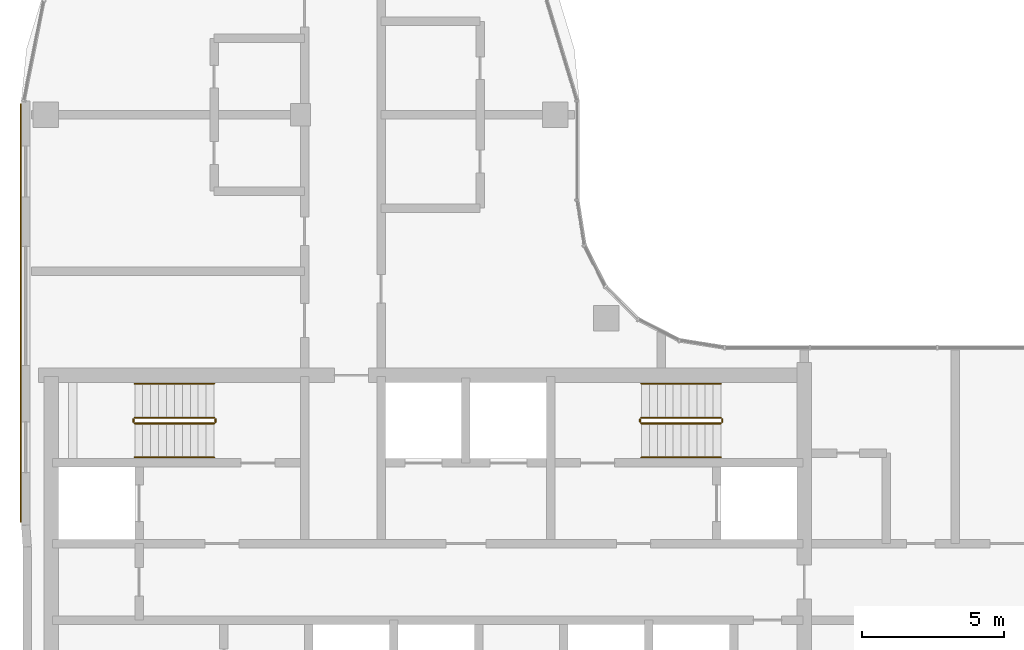
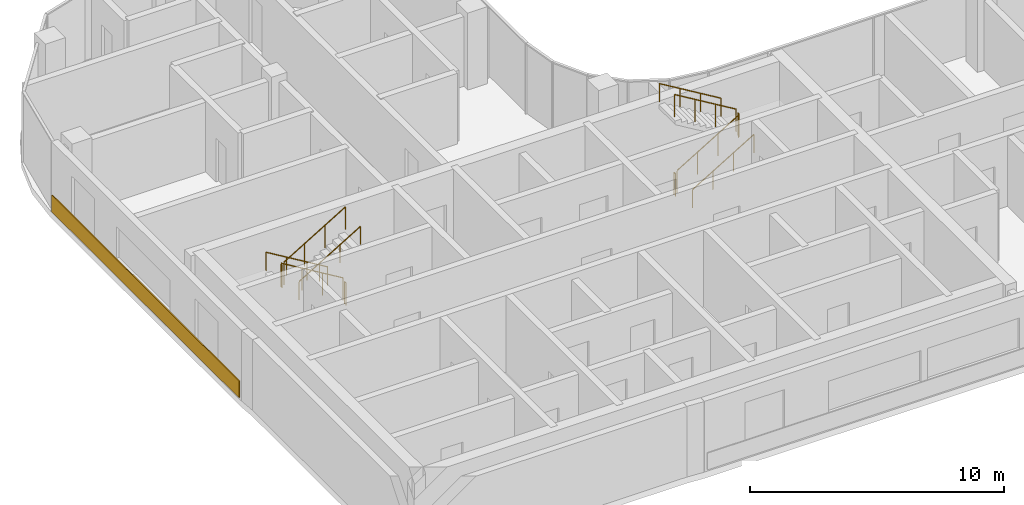
# One storey, part 18 of 20: 12 railings, 1 covering.
"""IFC4 building model written with IfcOpenShell, lengths in metres."""

from ifc_helpers import new_model, si_unit, direction, frame, origin, origin_2d, place, context, subcontext, project, spatial, rectangle, circle, extrude, material, layer, layer_set, type_object, element, save


model = new_model("IFC4")

# Units and contexts
model_context = context("Model", 3, precision=1e-05, world=origin(), true_north=direction((0.0, 1.0)))
body_context = subcontext(model_context, "Body", "Model", "MODEL_VIEW")
ifc_project = project(units=[si_unit("LENGTHUNIT", "METRE"), si_unit("AREAUNIT", "SQUARE_METRE"), si_unit("VOLUMEUNIT", "CUBIC_METRE"), si_unit("PLANEANGLEUNIT", "RADIAN"), si_unit("MASSUNIT", "GRAM", prefix="KILO")], contexts=[model_context])

# Site, building, storey
site_placement = place(None, origin())
site = spatial("IfcSite", under=ifc_project, at=site_placement, CompositionType="ELEMENT")
building_placement = place(site_placement, origin())
building = spatial("IfcBuilding", under=site, at=building_placement, Name="Ogive Portal Towers", CompositionType="ELEMENT")
storey_placement = place(building_placement, frame((0.0, 0.0, 210.60009765625)))
storey = spatial("IfcBuildingStorey", under=building, at=storey_placement, Name="L52", CompositionType="ELEMENT", Elevation=210.60009765625)

# Railings
ifc_material_1 = material(Name="Stainless steel balustrade", Category="steel")
railing_type_1 = type_object("IfcRailingType", Name="INT-GUARD", PredefinedType="GUARDRAIL", material=ifc_material_1)
railing_1_placement = place(storey_placement, frame((37.449951171875, 37.800048828125, 0.16796875)))
element("IfcRailing", 1, at=railing_1_placement, inside=storey, type_object=railing_type_1, Name="L52 ST-A1 stair guard 1", PredefinedType="GUARDRAIL", context=body_context, shape_type="SweptSolid", body=[
    extrude(circle(Radius=0.02392578125, at=origin_2d()), frame((0.0, 0.0, 1.076171875), z_axis=(-0.857242210791, 0.0, 0.514913383045), x_axis=(0.0, -1.0, 0.0)), (0.0, 0.0, 1.0), 3.266357421875),
    extrude(circle(Radius=0.02099609375, at=origin_2d()), origin(), (0.0, 0.0, 1.0), 1.052001953125),
    extrude(circle(Radius=0.02099609375, at=origin_2d()), frame((-0.933349609375, 0.0, 0.560546875)), (0.0, 0.0, 1.0), 1.052001953125),
    extrude(circle(Radius=0.02099609375, at=origin_2d()), frame((-1.86669921875, 0.0, 1.121337890625)), (0.0, 0.0, 1.0), 1.052001953125),
    extrude(circle(Radius=0.02099609375, at=origin_2d()), frame((-2.800048828125, 0.0, 1.681884765625)), (0.0, 0.0, 1.0), 1.052001953125),
])
railing_2_placement = place(storey_placement, frame((34.60009765625, 37.75, 1.849853515625)))
element("IfcRailing", 2, at=railing_2_placement, inside=storey, type_object=railing_type_1, Name="L52 ST-A1 stair guard 2", PredefinedType="GUARDRAIL", context=body_context, shape_type="SweptSolid", body=[
    extrude(circle(Radius=0.02392578125, at=origin_2d()), frame((0.0, 0.0, 1.076171875), z_axis=(0.0, -1.0, 0.0), x_axis=(1.0, 0.0, 0.0)), (0.0, 0.0, 1.0), 0.10009765625),
    extrude(circle(Radius=0.02099609375, at=origin_2d()), origin(), (0.0, 0.0, 1.0), 1.052001953125),
    extrude(circle(Radius=0.02099609375, at=origin_2d()), frame((0.0, -0.10009765625, 0.0)), (0.0, 0.0, 1.0), 1.052001953125),
])
railing_3_placement = place(storey_placement, frame((34.64990234375, 37.60009765625, 2.01806640625)))
element("IfcRailing", 3, at=railing_3_placement, inside=storey, type_object=railing_type_1, Name="L52 ST-A1 stair guard 3", PredefinedType="GUARDRAIL", context=body_context, shape_type="SweptSolid", body=[
    extrude(circle(Radius=0.02392578125, at=origin_2d()), frame((0.0, 0.0, 1.076171875), z_axis=(0.857242210791, 0.0, 0.514913383045), x_axis=(0.0, 1.0, 0.0)), (0.0, 0.0, 1.0), 3.266357421875),
    extrude(circle(Radius=0.02099609375, at=origin_2d()), origin(), (0.0, 0.0, 1.0), 1.052001953125),
    extrude(circle(Radius=0.02099609375, at=origin_2d()), frame((0.933349609375, 0.0, 0.560546875)), (0.0, 0.0, 1.0), 1.052001953125),
    extrude(circle(Radius=0.02099609375, at=origin_2d()), frame((1.86669921875, 0.0, 1.121337890625)), (0.0, 0.0, 1.0), 1.052001953125),
    extrude(circle(Radius=0.02099609375, at=origin_2d()), frame((2.800048828125, 0.0, 1.681884765625)), (0.0, 0.0, 1.0), 1.052001953125),
])
railing_4_placement = place(storey_placement, frame((37.5, 37.75, 0.0)))
element("IfcRailing", 4, at=railing_4_placement, inside=storey, type_object=railing_type_1, Name="L52 ST-A1 stair guard 4", PredefinedType="GUARDRAIL", context=body_context, shape_type="SweptSolid", body=[
    extrude(circle(Radius=0.02392578125, at=origin_2d()), frame((0.0, 0.0, 1.076171875), z_axis=(0.0, -1.0, 0.0), x_axis=(1.0, 0.0, 0.0)), (0.0, 0.0, 1.0), 0.10009765625),
    extrude(circle(Radius=0.02099609375, at=origin_2d()), origin(), (0.0, 0.0, 1.0), 1.052001953125),
    extrude(circle(Radius=0.02099609375, at=origin_2d()), frame((0.0, -0.10009765625, 0.0)), (0.0, 0.0, 1.0), 1.052001953125),
])
railing_5_placement = place(storey_placement, frame((52.550048828125, 37.60009765625, 0.16796875)))
element("IfcRailing", 5, at=railing_5_placement, inside=storey, type_object=railing_type_1, Name="L52 ST-A2 stair guard 1", PredefinedType="GUARDRAIL", context=body_context, shape_type="SweptSolid", body=[
    extrude(circle(Radius=0.02392578125, at=origin_2d()), frame((0.0, 0.0, 1.076171875), z_axis=(0.857242210791, 0.0, 0.514913383045), x_axis=(0.0, 1.0, 0.0)), (0.0, 0.0, 1.0), 3.266357421875),
    extrude(circle(Radius=0.02099609375, at=origin_2d()), origin(), (0.0, 0.0, 1.0), 1.052001953125),
    extrude(circle(Radius=0.02099609375, at=origin_2d()), frame((0.933349609375, 0.0, 0.560546875)), (0.0, 0.0, 1.0), 1.052001953125),
    extrude(circle(Radius=0.02099609375, at=origin_2d()), frame((1.86669921875, 0.0, 1.121337890625)), (0.0, 0.0, 1.0), 1.052001953125),
    extrude(circle(Radius=0.02099609375, at=origin_2d()), frame((2.800048828125, 0.0, 1.681884765625)), (0.0, 0.0, 1.0), 1.052001953125),
])
railing_6_placement = place(storey_placement, frame((55.39990234375, 37.64990234375, 1.849853515625)))
element("IfcRailing", 6, at=railing_6_placement, inside=storey, type_object=railing_type_1, Name="L52 ST-A2 stair guard 2", PredefinedType="GUARDRAIL", context=body_context, shape_type="SweptSolid", body=[
    extrude(circle(Radius=0.02392578125, at=origin_2d()), frame((0.0, 0.0, 1.076171875), z_axis=(0.0, 1.0, 0.0), x_axis=(-1.0, 0.0, 0.0)), (0.0, 0.0, 1.0), 0.10009765625),
    extrude(circle(Radius=0.02099609375, at=origin_2d()), origin(), (0.0, 0.0, 1.0), 1.052001953125),
    extrude(circle(Radius=0.02099609375, at=origin_2d()), frame((0.0, 0.10009765625, 0.0)), (0.0, 0.0, 1.0), 1.052001953125),
])
railing_7_placement = place(storey_placement, frame((55.35009765625, 37.800048828125, 2.01806640625)))
element("IfcRailing", 7, at=railing_7_placement, inside=storey, type_object=railing_type_1, Name="L52 ST-A2 stair guard 3", PredefinedType="GUARDRAIL", context=body_context, shape_type="SweptSolid", body=[
    extrude(circle(Radius=0.02392578125, at=origin_2d()), frame((0.0, 0.0, 1.076171875), z_axis=(-0.857242210791, 0.0, 0.514913383045), x_axis=(0.0, -1.0, 0.0)), (0.0, 0.0, 1.0), 3.266357421875),
    extrude(circle(Radius=0.02099609375, at=origin_2d()), origin(), (0.0, 0.0, 1.0), 1.052001953125),
    extrude(circle(Radius=0.02099609375, at=origin_2d()), frame((-0.933349609375, 0.0, 0.560546875)), (0.0, 0.0, 1.0), 1.052001953125),
    extrude(circle(Radius=0.02099609375, at=origin_2d()), frame((-1.86669921875, 0.0, 1.121337890625)), (0.0, 0.0, 1.0), 1.052001953125),
    extrude(circle(Radius=0.02099609375, at=origin_2d()), frame((-2.800048828125, 0.0, 1.681884765625)), (0.0, 0.0, 1.0), 1.052001953125),
])
railing_8_placement = place(storey_placement, frame((52.5, 37.64990234375, 0.0)))
element("IfcRailing", 8, at=railing_8_placement, inside=storey, type_object=railing_type_1, Name="L52 ST-A2 stair guard 4", PredefinedType="GUARDRAIL", context=body_context, shape_type="SweptSolid", body=[
    extrude(circle(Radius=0.02392578125, at=origin_2d()), frame((0.0, 0.0, 1.076171875), z_axis=(0.0, 1.0, 0.0), x_axis=(-1.0, 0.0, 0.0)), (0.0, 0.0, 1.0), 0.10009765625),
    extrude(circle(Radius=0.02099609375, at=origin_2d()), origin(), (0.0, 0.0, 1.0), 1.052001953125),
    extrude(circle(Radius=0.02099609375, at=origin_2d()), frame((0.0, 0.10009765625, 0.0)), (0.0, 0.0, 1.0), 1.052001953125),
])
ifc_material_2 = material(Name="Stainless steel handrail", Category="steel")
railing_type_2 = type_object("IfcRailingType", Name="INT-HANDRAIL", PredefinedType="HANDRAIL", material=ifc_material_2)
railing_9_placement = place(storey_placement, frame((37.449951171875, 39.0, 0.16796875)))
element("IfcRailing", 9, at=railing_9_placement, inside=storey, type_object=railing_type_2, Name="L52 ST-A1 stair handrail 1", PredefinedType="HANDRAIL", context=body_context, shape_type="SweptSolid", body=[
    extrude(circle(Radius=0.02392578125, at=origin_2d()), frame((0.0, 0.0, 0.8759765625), z_axis=(-0.857242210791, 0.0, 0.514913383045), x_axis=(0.0, -1.0, 0.0)), (0.0, 0.0, 1.0), 3.266357421875),
    extrude(circle(Radius=0.02099609375, at=origin_2d()), origin(), (0.0, 0.0, 1.0), 0.851806640625),
    extrude(circle(Radius=0.02099609375, at=origin_2d()), frame((-0.933349609375, 0.0, 0.560546875)), (0.0, 0.0, 1.0), 0.851806640625),
    extrude(circle(Radius=0.02099609375, at=origin_2d()), frame((-1.86669921875, 0.0, 1.121337890625)), (0.0, 0.0, 1.0), 0.851806640625),
    extrude(circle(Radius=0.02099609375, at=origin_2d()), frame((-2.800048828125, 0.0, 1.681884765625)), (0.0, 0.0, 1.0), 0.851806640625),
])
for number, where, name in (
    (10, (34.64990234375, 36.39990234375, 2.01806640625), "L52 ST-A1 stair handrail 2"),
    (11, (52.550048828125, 36.39990234375, 0.16796875), "L52 ST-A2 stair handrail 1"),
):
    element("IfcRailing", number, at=place(storey_placement, frame(where)), inside=storey, type_object=railing_type_2, Name=name, PredefinedType="HANDRAIL", context=body_context, shape_type="SweptSolid", body=[
        extrude(circle(Radius=0.02392578125, at=origin_2d()), frame((0.0, 0.0, 0.8759765625), z_axis=(0.857242210791, 0.0, 0.514913383045), x_axis=(0.0, 1.0, 0.0)), (0.0, 0.0, 1.0), 3.266357421875),
        extrude(circle(Radius=0.02099609375, at=origin_2d()), origin(), (0.0, 0.0, 1.0), 0.851806640625),
        extrude(circle(Radius=0.02099609375, at=origin_2d()), frame((0.933349609375, 0.0, 0.560546875)), (0.0, 0.0, 1.0), 0.851806640625),
        extrude(circle(Radius=0.02099609375, at=origin_2d()), frame((1.86669921875, 0.0, 1.121337890625)), (0.0, 0.0, 1.0), 0.851806640625),
        extrude(circle(Radius=0.02099609375, at=origin_2d()), frame((2.800048828125, 0.0, 1.681884765625)), (0.0, 0.0, 1.0), 0.851806640625),
    ])
railing_10_placement = place(storey_placement, frame((55.35009765625, 39.0, 2.01806640625)))
element("IfcRailing", 12, at=railing_10_placement, inside=storey, type_object=railing_type_2, Name="L52 ST-A2 stair handrail 2", PredefinedType="HANDRAIL", context=body_context, shape_type="SweptSolid", body=[
    extrude(circle(Radius=0.02392578125, at=origin_2d()), frame((0.0, 0.0, 0.8759765625), z_axis=(-0.857242210791, 0.0, 0.514913383045), x_axis=(0.0, -1.0, 0.0)), (0.0, 0.0, 1.0), 3.266357421875),
    extrude(circle(Radius=0.02099609375, at=origin_2d()), origin(), (0.0, 0.0, 1.0), 0.851806640625),
    extrude(circle(Radius=0.02099609375, at=origin_2d()), frame((-0.933349609375, 0.0, 0.560546875)), (0.0, 0.0, 1.0), 0.851806640625),
    extrude(circle(Radius=0.02099609375, at=origin_2d()), frame((-1.86669921875, 0.0, 1.121337890625)), (0.0, 0.0, 1.0), 0.851806640625),
    extrude(circle(Radius=0.02099609375, at=origin_2d()), frame((-2.800048828125, 0.0, 1.681884765625)), (0.0, 0.0, 1.0), 0.851806640625),
])

# Covering
ifc_material_3 = material(Name="Limestone cladding on lightweight block wall", Category="masonry")
ifc_layer = layer(ifc_material_3, 0.050048828125)
ifc_layer_set = layer_set([ifc_layer], Name="SCREEN PERFORATED STONE")
covering_type = type_object("IfcCoveringType", Name="SCREEN PERFORATED STONE", PredefinedType="CLADDING", material=ifc_layer_set)
covering_placement = place(storey_placement, frame((30.6201171875, 41.50146484375, 0.10009765625), z_axis=(0.0, 0.0, 1.0), x_axis=(0.0, -1.0, 0.0)))
element("IfcCovering", 13, at=covering_placement, inside=storey, type_object=covering_type, Name="Tracery screen", PredefinedType="CLADDING", context=body_context, shape_type="SweptSolid", body=[
    extrude(rectangle(XDim=14.781494140625, YDim=0.050048828125, at=origin_2d()), origin(), (0.0, 0.0, 1.0), 0.800048828125),
])

save(model, "model.ifc")
